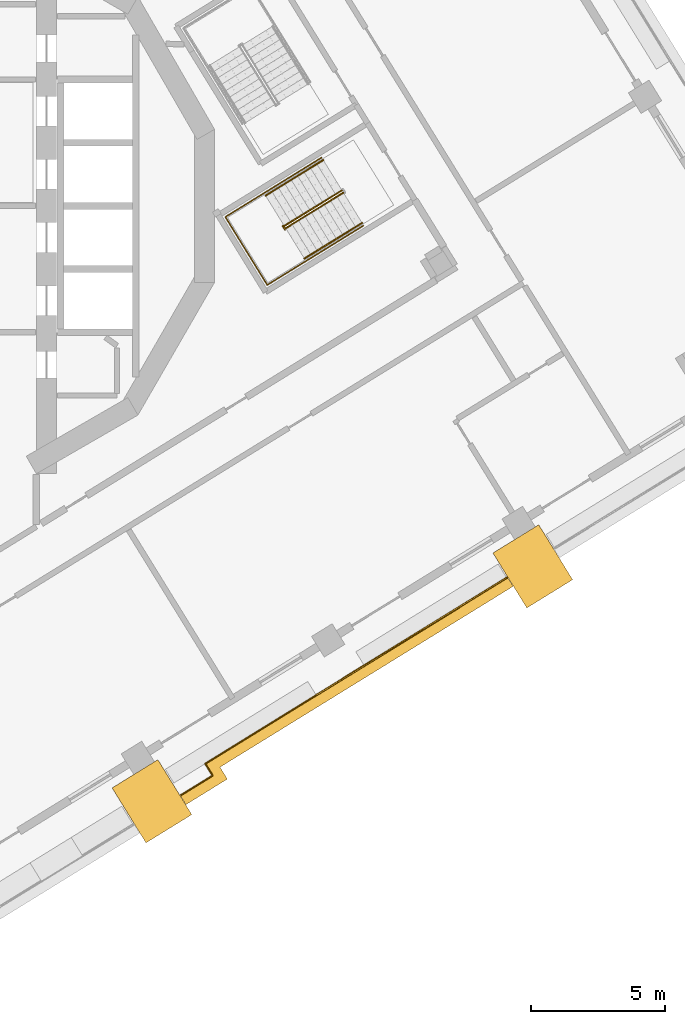
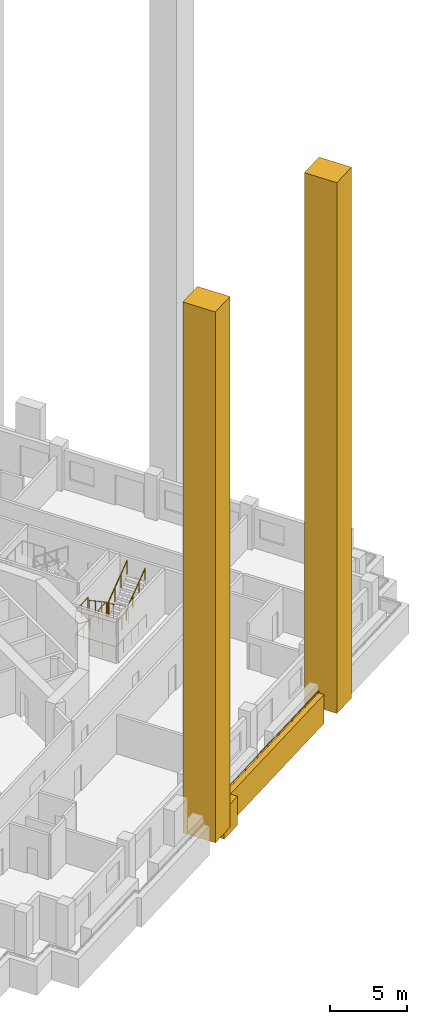
# One storey, part 14 of 19: 8 railings, 3 coverings.
"""IFC4 building model written with IfcOpenShell, lengths in metres."""

import ifcopenshell
import ifcopenshell.guid

model = None  # the IFC model being written
_history = None  # IfcOwnerHistory: only IFC2X3 demands one
_inside = {}  # id of a spatial element -> (the spatial element, [elements in it])
_under = {}  # id of a project, library or spatial element -> (it, [spatial elements below it])
_declared = {}  # id of a project -> (the project, [libraries it declares])
_typed = {}  # id of a type object -> (the type object, [elements of that type])
_made_of = {}  # id of a material, layer set ... -> (it, [elements and type objects made of it])


def new_model(schema):
    """Start an empty IFC model of exactly this schema.

    Asked for "IFC4X3", IfcOpenShell would pick the latest addendum, in which some entities
    have other attributes; the version numbers below select the first issue.
    IFC2X3 requires an IfcOwnerHistory on every rooted entity: one is made here for all.
    """
    global model, _history
    if schema == "IFC4X3":
        model = ifcopenshell.file(schema_version=(4, 3, 0, 0))
    else:
        model = ifcopenshell.file(schema=schema)
    _inside.clear()
    _under.clear()
    _declared.clear()
    _typed.clear()
    _made_of.clear()
    _history = None
    if model.schema == "IFC2X3":
        org = make("IfcOrganization", Name="unknown")
        user = make(
            "IfcPersonAndOrganization",
            ThePerson=make("IfcPerson", FamilyName="unknown"),
            TheOrganization=org,
        )
        app = make(
            "IfcApplication",
            ApplicationDeveloper=org,
            Version="unknown",
            ApplicationFullName="unknown",
            ApplicationIdentifier="unknown",
        )
        _history = make(
            "IfcOwnerHistory",
            OwningUser=user,
            OwningApplication=app,
            ChangeAction="ADDED",
            CreationDate=0,
        )
    return model


def make(cls, **values):
    """One entity of the class cls with the attributes given. An attribute that is None is left unset."""
    return model.create_entity(
        cls, **{name: value for name, value in values.items() if value is not None}
    )


def rooted(cls, **values):
    """An entity with a GlobalId (a new one), such as an element, a storey or a relation."""
    return make(cls, GlobalId=ifcopenshell.guid.new(), OwnerHistory=_history, **values)


def si_unit(unit_type, name, prefix=None):
    """IfcSIUnit, for example si_unit("LENGTHUNIT", "METRE", prefix="MILLI")."""
    return make("IfcSIUnit", UnitType=unit_type, Prefix=prefix, Name=name)


def assignment(units):
    """IfcUnitAssignment: the units of a project."""
    return None if units is None else make("IfcUnitAssignment", Units=units)


def point(xyz):
    """IfcCartesianPoint."""
    return None if xyz is None else make("IfcCartesianPoint", Coordinates=xyz)


def direction(xyz):
    """IfcDirection."""
    return None if xyz is None else make("IfcDirection", DirectionRatios=xyz)


def frame(location, z_axis=None, x_axis=None):
    """IfcAxis2Placement3D, a coordinate frame: its origin and axes. An axis left out is left unset."""
    return make(
        "IfcAxis2Placement3D",
        Location=point(location),
        Axis=direction(z_axis),
        RefDirection=direction(x_axis),
    )


def frame_2d(location, x_axis=None):
    """IfcAxis2Placement2D, a coordinate frame in the plane: its origin and x axis."""
    return make(
        "IfcAxis2Placement2D", Location=point(location), RefDirection=direction(x_axis)
    )


def origin():
    """The frame at (0, 0, 0) with its axes left unset."""
    return frame((0.0, 0.0, 0.0))


def origin_2d():
    """The frame at (0, 0) in the plane with its x axis left unset."""
    return frame_2d((0.0, 0.0))


def place(relative_to, where):
    """IfcLocalPlacement: puts the frame where relative to a parent placement (None: the world)."""
    return make(
        "IfcLocalPlacement", PlacementRelTo=relative_to, RelativePlacement=where
    )


def context(
    kind, dimensions, precision=None, world=None, true_north=None, identifier=None
):
    """IfcGeometricRepresentationContext, for example the 3D "Model" context."""
    return make(
        "IfcGeometricRepresentationContext",
        ContextIdentifier=identifier,
        ContextType=kind,
        CoordinateSpaceDimension=dimensions,
        Precision=precision,
        WorldCoordinateSystem=world,
        TrueNorth=true_north,
    )


def subcontext(parent, identifier, kind, view, scale=None):
    """IfcGeometricRepresentationSubContext, for example "Body" below "Model"."""
    return make(
        "IfcGeometricRepresentationSubContext",
        ContextIdentifier=identifier,
        ContextType=kind,
        ParentContext=parent,
        TargetScale=scale,
        TargetView=view,
    )


def project(units=None, contexts=None):
    """IfcProject with its units and contexts."""
    return rooted(
        "IfcProject",
        Name="project",
        RepresentationContexts=contexts,
        UnitsInContext=assignment(units),
    )


def spatial(cls, under=None, at=None, **own):
    """A site, building, storey or space (cls), placed at a placement, below another one or the project."""
    s = rooted(cls, ObjectPlacement=at, **own)
    if under is not None:
        _under.setdefault(under.id(), (under, []))[1].append(s)
    return s


def polyline(points):
    """IfcPolyline through the points."""
    return make("IfcPolyline", Points=[point(p) for p in points])


def profile(cls, at=None, kind="AREA", **sizes):
    """A parametric profile (cls). Its sizes go by their IFC names, for example OverallWidth=200.0."""
    return make(cls, ProfileType=kind, Position=at, **sizes)


def rectangle(**sizes):
    """IfcRectangleProfileDef."""
    return profile("IfcRectangleProfileDef", **sizes)


def circle(**sizes):
    """IfcCircleProfileDef."""
    return profile("IfcCircleProfileDef", **sizes)


def outline(outer, holes=None, kind="AREA"):
    """IfcArbitraryClosedProfileDef: a profile drawn as a closed curve; with holes, ...WithVoids."""
    if holes is None:
        return make("IfcArbitraryClosedProfileDef", ProfileType=kind, OuterCurve=outer)
    return make(
        "IfcArbitraryProfileDefWithVoids",
        ProfileType=kind,
        OuterCurve=outer,
        InnerCurves=holes,
    )


def extrude(swept, where, along, depth):
    """IfcExtrudedAreaSolid: the profile swept, set in the frame where, extruded along a direction by depth."""
    return make(
        "IfcExtrudedAreaSolid",
        SweptArea=swept,
        Position=where,
        ExtrudedDirection=direction(along),
        Depth=depth,
    )


def shape(context_of_items, identifier, shape_type, items):
    """IfcShapeRepresentation: the items that make up one representation, for example the "Body"."""
    return make(
        "IfcShapeRepresentation",
        ContextOfItems=context_of_items,
        RepresentationIdentifier=identifier,
        RepresentationType=shape_type,
        Items=items,
    )


def material(Name=None, Category=None):
    """IfcMaterial."""
    return make("IfcMaterial", Name=Name, Category=Category)


def made_of(thing, what):
    """Note that an element or type object is made of a material, layer set ...; save() writes the relation."""
    if what is not None:
        _made_of.setdefault(what.id(), (what, []))[1].append(thing)
    return thing


def type_object(cls, material=None, **own):
    """A type object (cls), such as IfcWallType, which elements share."""
    return made_of(rooted(cls, **own), material)


def element(
    cls,
    number,
    at=None,
    inside=None,
    cuts=None,
    type_object=None,
    material=None,
    context=None,
    identifier="Body",
    shape_type=None,
    held_by="IfcProductDefinitionShape",
    body=None,
    shapes=None,
    **own,
):
    """One element of the class cls, such as IfcWall. Its Tag is "e" and its number.

    at: its placement. inside: the storey or other place that contains it. cuts: it is an
    opening in that element (IfcRelVoidsElement). A single representation is given by context,
    identifier, shape_type and body (its items); several are given by shapes. held_by: the class
    of the entity that holds the representations. save() writes the other relations.
    """
    e = rooted(cls, Tag="e%d" % number, ObjectPlacement=at, **own)
    if body is not None:
        shapes = [shape(context, identifier, shape_type, body)]
    if shapes is not None:
        e.Representation = make(held_by, Representations=shapes)
    if inside is not None:
        _inside.setdefault(inside.id(), (inside, []))[1].append(e)
    if cuts is not None:
        rooted(
            "IfcRelVoidsElement", RelatingBuildingElement=cuts, RelatedOpeningElement=e
        )
    if type_object is not None:
        _typed.setdefault(type_object.id(), (type_object, []))[1].append(e)
    return made_of(e, material)


def aggregate(whole, parts):
    """IfcRelAggregates: a whole, such as a stair, and the parts it consists of."""
    return rooted("IfcRelAggregates", RelatingObject=whole, RelatedObjects=parts)


def save(model, path):
    """Write the relations noted so far, then the file.

    IfcRelAggregates (storeys below a building ...), IfcRelContainedInSpatialStructure (elements
    in a storey), IfcRelDefinesByType, IfcRelAssociatesMaterial and IfcRelDeclares: one each for
    every whole, place, type object, material and project.
    """
    for whole, parts in _under.values():
        aggregate(whole, parts)
    for where, things in _inside.values():
        rooted(
            "IfcRelContainedInSpatialStructure",
            RelatedElements=things,
            RelatingStructure=where,
        )
    for kind, things in _typed.values():
        rooted("IfcRelDefinesByType", RelatedObjects=things, RelatingType=kind)
    for what, things in _made_of.values():
        rooted("IfcRelAssociatesMaterial", RelatedObjects=things, RelatingMaterial=what)
    for by, libraries in _declared.values():
        rooted("IfcRelDeclares", RelatingContext=by, RelatedDefinitions=libraries)
    model.write(path)


model = new_model("IFC4")

# Units and contexts
model_context = context("Model", 3, precision=1e-05, world=origin(), true_north=direction((0.0, 1.0)))
body_context = subcontext(model_context, "Body", "Model", "MODEL_VIEW")
ifc_project = project(units=[si_unit("LENGTHUNIT", "METRE"), si_unit("AREAUNIT", "SQUARE_METRE"), si_unit("VOLUMEUNIT", "CUBIC_METRE"), si_unit("PLANEANGLEUNIT", "RADIAN"), si_unit("MASSUNIT", "GRAM", prefix="KILO")], contexts=[model_context])

# Site, building, storey
site_placement = place(None, origin())
site = spatial("IfcSite", under=ifc_project, at=site_placement, CompositionType="ELEMENT")
building_placement = place(site_placement, origin())
building = spatial("IfcBuilding", under=site, at=building_placement, Name="Cantera Rosa Tower", CompositionType="ELEMENT")
storey_placement = place(building_placement, frame((0.0, 0.0, 147.60009765625)))
storey = spatial("IfcBuildingStorey", under=building, at=storey_placement, Name="L31", CompositionType="ELEMENT", Elevation=147.60009765625)

# Railings
ifc_material_1 = material(Name="Stainless steel and laminated glass", Category="steel")
railing_type_1 = type_object("IfcRailingType", Name="GUARD 1100", PredefinedType="BALUSTRADE", material=ifc_material_1)
railing_1_placement = place(storey_placement, frame((14.36474609375, -18.2216796875, 0.0)))
element("IfcRailing", 1, at=railing_1_placement, inside=storey, type_object=railing_type_1, Name="GUARD L31-8", PredefinedType="BALUSTRADE", context=body_context, shape_type="SweptSolid", body=[
    extrude(circle(Radius=0.030029296875, at=origin_2d()), frame((0.0, 0.0, 1.070068359375), z_axis=(-0.851118219658, -0.524974071899, 0.0), x_axis=(0.524974071899, -0.851118219658, 0.0)), (0.0, 0.0, 1.0), 4.7998046875),
    extrude(circle(Radius=0.030029296875, at=origin_2d()), frame((-4.085205078125, -2.519775390625, 1.070068359375), z_axis=(0.525013333851, -0.851094001435, 0.0), x_axis=(0.851094001435, 0.525013333851, 0.0)), (0.0, 0.0, 1.0), 0.520263671875),
    extrude(circle(Radius=0.030029296875, at=origin_2d()), frame((-3.81201171875, -2.962646484375, 1.070068359375), z_axis=(-0.851091103489, -0.525018031655, 0.0), x_axis=(0.525018031655, -0.851091103489, 0.0)), (0.0, 0.0, 1.0), 1.390380859375),
    extrude(circle(Radius=0.02490234375, at=origin_2d()), origin(), (0.0, 0.0, 1.0), 1.0400390625),
    extrude(circle(Radius=0.02490234375, at=origin_2d()), frame((-1.36181640625, -0.83984375, 0.0)), (0.0, 0.0, 1.0), 1.0400390625),
    extrude(circle(Radius=0.02490234375, at=origin_2d()), frame((-2.723388671875, -1.679931640625, 0.0)), (0.0, 0.0, 1.0), 1.0400390625),
    extrude(circle(Radius=0.02490234375, at=origin_2d()), frame((-4.085205078125, -2.519775390625, 0.0)), (0.0, 0.0, 1.0), 1.0400390625),
    extrude(circle(Radius=0.02490234375, at=origin_2d()), frame((-3.81201171875, -2.962646484375, 0.0)), (0.0, 0.0, 1.0), 1.0400390625),
    extrude(circle(Radius=0.02490234375, at=origin_2d()), frame((-4.995361328125, -3.692626953125, 0.0)), (0.0, 0.0, 1.0), 1.0400390625),
])
railing_2_placement = place(storey_placement, frame((21.505615234375, -13.817138671875, 0.0)))
element("IfcRailing", 2, at=railing_2_placement, inside=storey, type_object=railing_type_1, Name="GUARD L31-9", PredefinedType="BALUSTRADE", context=body_context, shape_type="SweptSolid", body=[
    extrude(circle(Radius=0.030029296875, at=origin_2d()), frame((0.0, 0.0, 1.070068359375), z_axis=(-0.850339408664, -0.52623463405, 0.0), x_axis=(0.52623463405, -0.850339408664, 0.0)), (0.0, 0.0, 1.0), 0.070068359375),
    extrude(circle(Radius=0.030029296875, at=origin_2d()), frame((-0.0595703125, -0.036865234375, 1.070068359375), z_axis=(-0.851115851, -0.524977912085, 0.0), x_axis=(0.524977912085, -0.851115851, 0.0)), (0.0, 0.0, 1.0), 5.320068359375),
    extrude(circle(Radius=0.030029296875, at=origin_2d()), frame((-4.587646484375, -2.829833984375, 1.070068359375), z_axis=(-0.851138143202, -0.52494176933, 0.0), x_axis=(0.52494176933, -0.851138143202, 0.0)), (0.0, 0.0, 1.0), 2.999755859375),
    extrude(circle(Radius=0.02490234375, at=origin_2d()), origin(), (0.0, 0.0, 1.0), 1.0400390625),
    extrude(circle(Radius=0.02490234375, at=origin_2d()), frame((-0.0595703125, -0.036865234375, 0.0)), (0.0, 0.0, 1.0), 1.0400390625),
    extrude(circle(Radius=0.02490234375, at=origin_2d()), frame((-1.56884765625, -0.9677734375, 0.0)), (0.0, 0.0, 1.0), 1.0400390625),
    extrude(circle(Radius=0.02490234375, at=origin_2d()), frame((-3.078369140625, -1.89892578125, 0.0)), (0.0, 0.0, 1.0), 1.0400390625),
    extrude(circle(Radius=0.02490234375, at=origin_2d()), frame((-4.587646484375, -2.829833984375, 0.0)), (0.0, 0.0, 1.0), 1.0400390625),
    extrude(circle(Radius=0.02490234375, at=origin_2d()), frame((-5.8642578125, -3.6171875, 0.0)), (0.0, 0.0, 1.0), 1.0400390625),
    extrude(circle(Radius=0.02490234375, at=origin_2d()), frame((-7.140869140625, -4.404541015625, 0.0)), (0.0, 0.0, 1.0), 1.0400390625),
])
ifc_material_2 = material(Name="Steel S355J2 (EN 10025-2)", Category="steel")
railing_type_2 = type_object("IfcRailingType", Name="STAIR GUARD 1100", PredefinedType="GUARDRAIL", material=ifc_material_2)
railing_3_placement = place(storey_placement, frame((15.36572265625, 0.57666015625, 0.18994140625)))
element("IfcRailing", 3, at=railing_3_placement, inside=storey, type_object=railing_type_2, Name="L31 ST-34 stair guard 1", PredefinedType="GUARDRAIL", context=body_context, shape_type="SweptSolid", body=[
    extrude(circle(Radius=0.02392578125, at=origin_2d()), frame((0.0, 0.0, 1.076171875), z_axis=(-0.704271375033, -0.434427613125, 0.561493080334), x_axis=(0.524999832248, -0.851102330005, 0.0)), (0.0, 0.0, 1.0), 3.04541015625),
    extrude(circle(Radius=0.02392578125, at=origin_2d()), frame((-2.144775390625, -1.322998046875, 2.7861328125), z_axis=(-0.997279572494, -0.073711968402, 0.0), x_axis=(0.073711968402, -0.997279572494, 0.0)), (0.0, 0.0, 1.0), 0.056396484375),
    extrude(circle(Radius=0.02392578125, at=origin_2d()), frame((-2.200927734375, -1.3271484375, 2.7861328125), z_axis=(0.525458245725, -0.850819388589, 0.0), x_axis=(0.850819388589, 0.525458245725, 0.0)), (0.0, 0.0, 1.0), 0.150146484375),
    extrude(circle(Radius=0.02099609375, at=origin_2d()), origin(), (0.0, 0.0, 1.0), 1.052001953125),
    extrude(circle(Radius=0.02099609375, at=origin_2d()), frame((-0.71484375, -0.44091796875, 0.570068359375)), (0.0, 0.0, 1.0), 1.052001953125),
    extrude(circle(Radius=0.02099609375, at=origin_2d()), frame((-1.429931640625, -0.882080078125, 1.139892578125)), (0.0, 0.0, 1.0), 1.052001953125),
    extrude(circle(Radius=0.02099609375, at=origin_2d()), frame((-2.144775390625, -1.322998046875, 1.7099609375)), (0.0, 0.0, 1.0), 1.052001953125),
    extrude(circle(Radius=0.02099609375, at=origin_2d()), frame((-2.200927734375, -1.3271484375, 1.7099609375)), (0.0, 0.0, 1.0), 1.052001953125),
    extrude(circle(Radius=0.02099609375, at=origin_2d()), frame((-2.1220703125, -1.454833984375, 1.7099609375)), (0.0, 0.0, 1.0), 1.052001953125),
])
railing_4_placement = place(storey_placement, frame((13.2724609375, -0.82958984375, 2.08984375)))
element("IfcRailing", 4, at=railing_4_placement, inside=storey, type_object=railing_type_2, Name="L31 ST-34 stair guard 2", PredefinedType="GUARDRAIL", context=body_context, shape_type="SweptSolid", body=[
    extrude(circle(Radius=0.02392578125, at=origin_2d()), frame((0.0, 0.0, 1.076171875), z_axis=(0.70429590169, 0.434362572038, 0.561512634654), x_axis=(-0.524929648476, 0.851145618652, 0.0)), (0.0, 0.0, 1.0), 3.045166015625),
    extrude(circle(Radius=0.02099609375, at=origin_2d()), origin(), (0.0, 0.0, 1.0), 1.052001953125),
    extrude(circle(Radius=0.02099609375, at=origin_2d()), frame((0.71484375, 0.44091796875, 0.570068359375)), (0.0, 0.0, 1.0), 1.052001953125),
    extrude(circle(Radius=0.02099609375, at=origin_2d()), frame((1.429931640625, 0.8818359375, 1.139892578125)), (0.0, 0.0, 1.0), 1.052001953125),
    extrude(circle(Radius=0.02099609375, at=origin_2d()), frame((2.144775390625, 1.32275390625, 1.7099609375)), (0.0, 0.0, 1.0), 1.052001953125),
])
railing_5_placement = place(storey_placement, frame((14.601806640625, 1.79248046875, 0.0)))
element("IfcRailing", 5, at=railing_5_placement, inside=storey, type_object=railing_type_2, Name="L31 ST-34 stair guard 4", PredefinedType="GUARDRAIL", context=body_context, shape_type="SweptSolid", body=[
    extrude(circle(Radius=0.02392578125, at=origin_2d()), frame((0.0, 0.0, 1.076171875), z_axis=(-0.851116735059, -0.524976478809, 0.0), x_axis=(0.524976478809, -0.851116735059, 0.0)), (0.0, 0.0, 1.0), 4.197998046875),
    extrude(circle(Radius=0.02392578125, at=origin_2d()), frame((-3.572998046875, -2.203857421875, 1.076171875), z_axis=(0.524950242429, -0.851132917336, 0.0), x_axis=(0.851132917336, 0.524950242429, 0.0)), (0.0, 0.0, 1.0), 2.969970703125),
    extrude(circle(Radius=0.02392578125, at=origin_2d()), frame((-2.013916015625, -4.731689453125, 1.076171875), z_axis=(0.851116735059, 0.524976478809, 0.0), x_axis=(-0.524976478809, 0.851116735059, 0.0)), (0.0, 0.0, 1.0), 4.197998046875),
    extrude(circle(Radius=0.02099609375, at=origin_2d()), origin(), (0.0, 0.0, 1.0), 1.052001953125),
    extrude(circle(Radius=0.02099609375, at=origin_2d()), frame((-0.893310546875, -0.551025390625, 0.0)), (0.0, 0.0, 1.0), 1.052001953125),
    extrude(circle(Radius=0.02099609375, at=origin_2d()), frame((-1.78662109375, -1.10205078125, 0.0)), (0.0, 0.0, 1.0), 1.052001953125),
    extrude(circle(Radius=0.02099609375, at=origin_2d()), frame((-2.6796875, -1.65283203125, 0.0)), (0.0, 0.0, 1.0), 1.052001953125),
    extrude(circle(Radius=0.02099609375, at=origin_2d()), frame((-3.572998046875, -2.203857421875, 0.0)), (0.0, 0.0, 1.0), 1.052001953125),
    extrude(circle(Radius=0.02099609375, at=origin_2d()), frame((-3.05322265625, -3.04638671875, 0.0)), (0.0, 0.0, 1.0), 1.052001953125),
    extrude(circle(Radius=0.02099609375, at=origin_2d()), frame((-2.53369140625, -3.88916015625, 0.0)), (0.0, 0.0, 1.0), 1.052001953125),
    extrude(circle(Radius=0.02099609375, at=origin_2d()), frame((-2.013916015625, -4.731689453125, 0.0)), (0.0, 0.0, 1.0), 1.052001953125),
    extrude(circle(Radius=0.02099609375, at=origin_2d()), frame((-1.12060546875, -4.1806640625, 0.0)), (0.0, 0.0, 1.0), 1.052001953125),
    extrude(circle(Radius=0.02099609375, at=origin_2d()), frame((-0.2275390625, -3.6298828125, 0.0)), (0.0, 0.0, 1.0), 1.052001953125),
    extrude(circle(Radius=0.02099609375, at=origin_2d()), frame((0.665771484375, -3.078857421875, 0.0)), (0.0, 0.0, 1.0), 1.052001953125),
    extrude(circle(Radius=0.02099609375, at=origin_2d()), frame((1.55908203125, -2.52783203125, 0.0)), (0.0, 0.0, 1.0), 1.052001953125),
])
railing_6_placement = place(storey_placement, frame((12.477294921875, 0.482177734375, 1.89990234375)))
element("IfcRailing", 6, at=railing_6_placement, inside=storey, type_object=railing_type_2, Name="L31 ST-34 stair guard 5", PredefinedType="GUARDRAIL", context=body_context, shape_type="SweptSolid", body=[
    extrude(circle(Radius=0.02392578125, at=origin_2d()), frame((0.0, 0.0, 1.076171875), z_axis=(-0.851086474909, -0.525025534833, 0.0), x_axis=(0.525025534833, -0.851086474909, 0.0)), (0.0, 0.0, 1.0), 1.701904296875),
    extrude(circle(Radius=0.02392578125, at=origin_2d()), frame((-1.448486328125, -0.8935546875, 1.076171875), z_axis=(0.524950242429, -0.851132917336, 0.0), x_axis=(0.851132917336, 0.524950242429, 0.0)), (0.0, 0.0, 1.0), 2.969970703125),
    extrude(circle(Radius=0.02392578125, at=origin_2d()), frame((0.110595703125, -3.42138671875, 1.076171875), z_axis=(0.851126009811, 0.524961441845, 0.0), x_axis=(-0.524961441845, 0.851126009811, 0.0)), (0.0, 0.0, 1.0), 1.7021484375),
    extrude(circle(Radius=0.02099609375, at=origin_2d()), origin(), (0.0, 0.0, 1.0), 1.052001953125),
    extrude(circle(Radius=0.02099609375, at=origin_2d()), frame((-0.72412109375, -0.44677734375, 0.0)), (0.0, 0.0, 1.0), 1.052001953125),
    extrude(circle(Radius=0.02099609375, at=origin_2d()), frame((-1.448486328125, -0.8935546875, 0.0)), (0.0, 0.0, 1.0), 1.052001953125),
    extrude(circle(Radius=0.02099609375, at=origin_2d()), frame((-0.9287109375, -1.736083984375, 0.0)), (0.0, 0.0, 1.0), 1.052001953125),
    extrude(circle(Radius=0.02099609375, at=origin_2d()), frame((-0.4091796875, -2.578857421875, 0.0)), (0.0, 0.0, 1.0), 1.052001953125),
    extrude(circle(Radius=0.02099609375, at=origin_2d()), frame((0.110595703125, -3.42138671875, 0.0)), (0.0, 0.0, 1.0), 1.052001953125),
    extrude(circle(Radius=0.02099609375, at=origin_2d()), frame((0.8349609375, -2.974609375, 0.0)), (0.0, 0.0, 1.0), 1.052001953125),
    extrude(circle(Radius=0.02099609375, at=origin_2d()), frame((1.559326171875, -2.52783203125, 0.0)), (0.0, 0.0, 1.0), 1.052001953125),
])
ifc_material_3 = material(Name="Steel S355J2 (EN 10025-2)", Category="steel")
railing_type_3 = type_object("IfcRailingType", Name="STAIR HANDRAIL 900", PredefinedType="HANDRAIL", material=ifc_material_3)
railing_7_placement = place(storey_placement, frame((14.669677734375, 1.705322265625, 0.18994140625)))
element("IfcRailing", 7, at=railing_7_placement, inside=storey, type_object=railing_type_3, Name="L31 ST-34 stair handrail 1", PredefinedType="HANDRAIL", context=body_context, shape_type="SweptSolid", body=[
    extrude(circle(Radius=0.02392578125, at=origin_2d()), frame((0.0, 0.0, 0.8759765625), z_axis=(-0.704271375033, -0.434427613125, 0.561493080334), x_axis=(0.524999832248, -0.851102330005, 0.0)), (0.0, 0.0, 1.0), 3.04541015625),
    extrude(circle(Radius=0.02099609375, at=origin_2d()), origin(), (0.0, 0.0, 1.0), 0.851806640625),
    extrude(circle(Radius=0.02099609375, at=origin_2d()), frame((-0.71484375, -0.44091796875, 0.570068359375)), (0.0, 0.0, 1.0), 0.851806640625),
    extrude(circle(Radius=0.02099609375, at=origin_2d()), frame((-1.429931640625, -0.882080078125, 1.139892578125)), (0.0, 0.0, 1.0), 0.851806640625),
    extrude(circle(Radius=0.02099609375, at=origin_2d()), frame((-2.144775390625, -1.322998046875, 1.7099609375)), (0.0, 0.0, 1.0), 0.851806640625),
])
railing_8_placement = place(storey_placement, frame((13.968505859375, -1.958251953125, 2.08984375)))
element("IfcRailing", 8, at=railing_8_placement, inside=storey, type_object=railing_type_3, Name="L31 ST-34 stair handrail 2", PredefinedType="HANDRAIL", context=body_context, shape_type="SweptSolid", body=[
    extrude(circle(Radius=0.02392578125, at=origin_2d()), frame((0.0, 0.0, 0.8759765625), z_axis=(0.704311776172, 0.434403086168, 0.561461379502), x_axis=(-0.524956545799, 0.851129029597, 0.0)), (0.0, 0.0, 1.0), 3.045654296875),
    extrude(circle(Radius=0.02099609375, at=origin_2d()), origin(), (0.0, 0.0, 1.0), 0.851806640625),
    extrude(circle(Radius=0.02099609375, at=origin_2d()), frame((0.715087890625, 0.44091796875, 0.570068359375)), (0.0, 0.0, 1.0), 0.851806640625),
    extrude(circle(Radius=0.02099609375, at=origin_2d()), frame((1.429931640625, 0.882080078125, 1.139892578125)), (0.0, 0.0, 1.0), 0.851806640625),
    extrude(circle(Radius=0.02099609375, at=origin_2d()), frame((2.14501953125, 1.322998046875, 1.7099609375)), (0.0, 0.0, 1.0), 0.851806640625),
])

# Coverings
ifc_material_4 = material(Name="Cantera stone", Category="masonry")
covering_type_1 = type_object("IfcCoveringType", Name="STONE FIN 2000x2400", PredefinedType="CLADDING", material=ifc_material_4)
for number, where, z_axis, x_axis, name in (
    (9, (8.29833984375, -22.139892578125, -0.300048828125), (0.0, 0.0, 1.0), (0.851116672434, 0.52497658034, 0.0), "STONE FIN FN-Z3-05"),
    (10, (22.4609375, -13.404296875, -0.300048828125), (0.0, 0.0, 1.0), (0.851116672434, 0.52497658034, 0.0), "STONE FIN FN-Z3-06"),
):
    element("IfcCovering", number, at=place(storey_placement, frame(where, z_axis=z_axis, x_axis=x_axis)), inside=storey, type_object=covering_type_1, Name=name, PredefinedType="CLADDING", context=body_context, shape_type="SweptSolid", body=[
        extrude(rectangle(XDim=2.0, YDim=2.39990234375, at=origin_2d()), origin(), (0.0, 0.0, 1.0), 42.10009765625),
    ])
ifc_material_5 = material(Name="Cantera stone", Category="masonry")
covering_type_2 = type_object("IfcCoveringType", Name="TRAY FASCIA 400", PredefinedType="CLADDING", material=ifc_material_5)
covering_placement = place(storey_placement, frame((0.0, 0.0, -1.400146484375)))
element("IfcCovering", 11, at=covering_placement, inside=storey, type_object=covering_type_2, Name="TRAY FASCIA L31-06", PredefinedType="CLADDING", context=body_context, shape_type="SweptSolid", body=[
    extrude(outline(polyline([(21.656005859375, -14.1943359375), (17.1279296875, -16.9873046875), (14.57470703125, -18.562255859375), (10.830078125, -20.8720703125), (11.10302734375, -21.314697265625), (9.562255859375, -22.26513671875), (9.352294921875, -21.9248046875), (10.552734375, -21.184326171875), (10.279541015625, -20.741455078125), (14.36474609375, -18.2216796875), (16.91796875, -16.64697265625), (21.446044921875, -13.85400390625), (21.5224609375, -13.806640625), (21.732666015625, -14.147216796875), (21.656005859375, -14.1943359375)])), origin(), (0.0, 0.0, 1.0), 2.300048828125),
])

save(model, "model.ifc")
